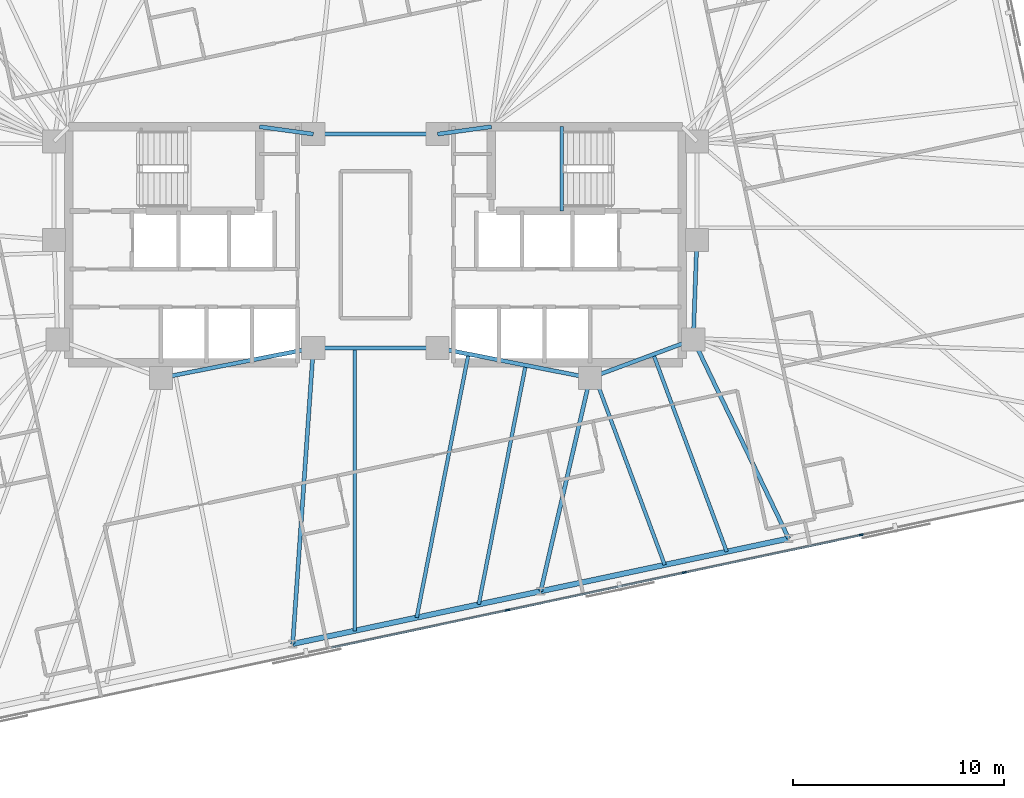
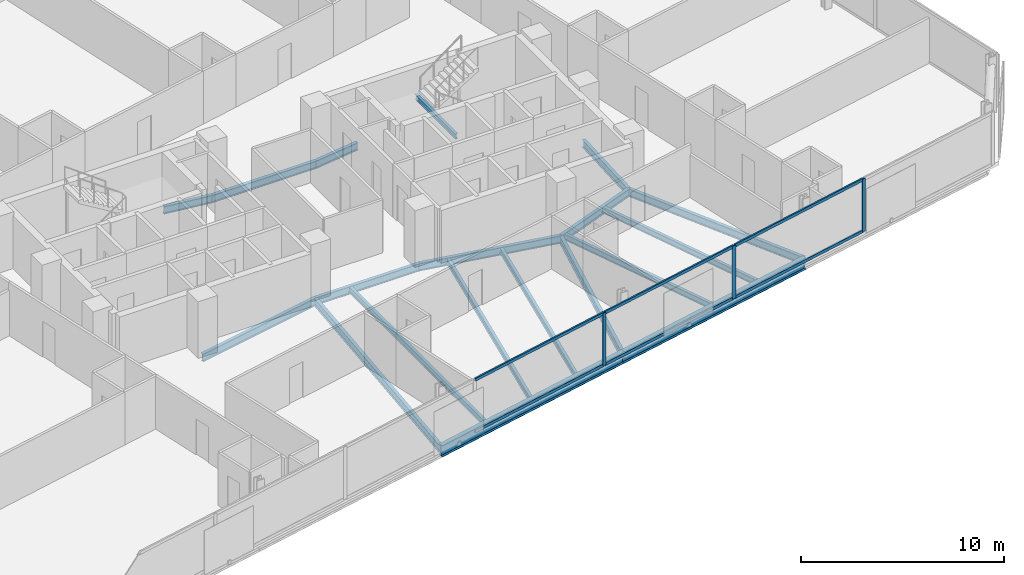
# One storey, part 7 of 19: 19 beams, 9 members, 1 element without a shape of its own.
"""IFC4 building model written with IfcOpenShell, lengths in metres."""

from ifc_helpers import new_model, si_unit, direction, frame, origin, origin_2d, place, context, subcontext, project, spatial, rectangle, i_section, extrude, material, material_profile, profile_set, type_object, element, aggregate, save


model = new_model("IFC4")

# Units and contexts
model_context = context("Model", 3, precision=1e-05, world=origin(), true_north=direction((0.0, 1.0)))
body_context = subcontext(model_context, "Body", "Model", "MODEL_VIEW")
ifc_project = project(units=[si_unit("LENGTHUNIT", "METRE"), si_unit("AREAUNIT", "SQUARE_METRE"), si_unit("VOLUMEUNIT", "CUBIC_METRE"), si_unit("PLANEANGLEUNIT", "RADIAN"), si_unit("MASSUNIT", "GRAM", prefix="KILO")], contexts=[model_context])

# Site, building, storey
site_placement = place(None, origin())
site = spatial("IfcSite", under=ifc_project, at=site_placement, CompositionType="ELEMENT")
building_placement = place(site_placement, origin())
building = spatial("IfcBuilding", under=site, at=building_placement, Name="Menara Jurai Vektor", CompositionType="ELEMENT")
storey_placement = place(building_placement, frame((0.0, 0.0, 195.60009765625)))
storey = spatial("IfcBuildingStorey", under=building, at=storey_placement, Name="L51", CompositionType="ELEMENT", Elevation=195.60009765625)

# Curtain wall, members
ifc_material_1 = material(Name="Anodised Pale Aluminium & Low-E Double Glazing", Category="aluminium")
curtain_wall_type = type_object("IfcCurtainWallType", Name="CW-BLK3", PredefinedType="NOTDEFINED", material=ifc_material_1)
curtain_wall_placement = place(storey_placement, origin())
curtain_wall = element("IfcCurtainWall", 1, at=curtain_wall_placement, inside=storey, type_object=curtain_wall_type, Name="Unitised Curtain Wall L51 F01", PredefinedType="NOTDEFINED")
ifc_material_2 = material(Name="Anodised Pale Aluminium Mullion", Category="aluminium")
ifc_material_profile_1 = material_profile(ifc_material_2, rectangle(XDim=0.0849609375, YDim=0.205078125, at=origin_2d()), Name="ALU MUL 85x205")
ifc_profile_set_1 = profile_set([ifc_material_profile_1], Name="Anodised Pale Aluminium Mullion")
member_type_1 = type_object("IfcMemberType", Name="CW-BLK3-MUL", PredefinedType="MULLION", material=ifc_profile_set_1)
member_1_placement = place(storey_placement, frame((6.264892578125, -17.338623046875, 0.0), z_axis=(0.0, 0.0, 1.0), x_axis=(-0.207911344156, 0.978147674419, 0.0)))
member_1 = element("IfcMember", 2, at=member_1_placement, type_object=member_type_1, Name="CW-03 mullion 5", PredefinedType="MULLION", context=body_context, shape_type="SweptSolid", body=[
    extrude(rectangle(XDim=0.0849609375, YDim=0.205078125, at=origin_2d()), origin(), (0.0, 0.0, 1.0), 3.1748046875),
])
member_2_placement = place(storey_placement, frame((14.65478515625, -15.55517578125, 0.0), z_axis=(0.0, 0.0, 1.0), x_axis=(-0.207911344156, 0.978147674419, 0.0)))
member_2 = element("IfcMember", 3, at=member_2_placement, type_object=member_type_1, Name="CW-03 mullion 6", PredefinedType="MULLION", context=body_context, shape_type="SweptSolid", body=[
    extrude(rectangle(XDim=0.0849609375, YDim=0.205078125, at=origin_2d()), origin(), (0.0, 0.0, 1.0), 3.1748046875),
])
member_3_placement = place(storey_placement, frame((23.04443359375, -13.77197265625, 0.0), z_axis=(0.0, 0.0, 1.0), x_axis=(-0.207911344156, 0.978147674419, 0.0)))
member_3 = element("IfcMember", 4, at=member_3_placement, type_object=member_type_1, Name="CW-03 mullion 7", PredefinedType="MULLION", context=body_context, shape_type="SweptSolid", body=[
    extrude(rectangle(XDim=0.0849609375, YDim=0.205078125, at=origin_2d()), origin(), (0.0, 0.0, 1.0), 3.1748046875),
])
ifc_material_3 = material(Name="Anodised Pale Aluminium Transom", Category="aluminium")
ifc_material_profile_2 = material_profile(ifc_material_3, rectangle(XDim=0.0849609375, YDim=0.175048828125, at=origin_2d()), Name="ALU TRN 85x175")
ifc_profile_set_2 = profile_set([ifc_material_profile_2], Name="Anodised Pale Aluminium Transom")
member_type_2 = type_object("IfcMemberType", Name="CW-BLK3-TRN", PredefinedType="USERDEFINED", material=ifc_profile_set_2)
member_4_placement = place(storey_placement, frame((-2.083251953125, -19.113037109375, 0.04248046875), z_axis=(0.978147743708, 0.207911018178, 0.0), x_axis=(-0.207911018178, 0.978147743708, 0.0)))
member_4 = element("IfcMember", 5, at=member_4_placement, type_object=member_type_2, Name="CW-03 transom 4.1", ObjectType="TRANSOM", PredefinedType="USERDEFINED", context=body_context, shape_type="SweptSolid", body=[
    extrude(rectangle(XDim=0.0849609375, YDim=0.175048828125, at=origin_2d()), origin(), (0.0, 0.0, 1.0), 8.4921875),
])
member_5_placement = place(storey_placement, frame((-2.083251953125, -19.113037109375, 3.13232421875), z_axis=(0.978147743708, 0.207911018178, 0.0), x_axis=(-0.207911018178, 0.978147743708, 0.0)))
member_5 = element("IfcMember", 6, at=member_5_placement, type_object=member_type_2, Name="CW-03 transom 4.2", ObjectType="TRANSOM", PredefinedType="USERDEFINED", context=body_context, shape_type="SweptSolid", body=[
    extrude(rectangle(XDim=0.0849609375, YDim=0.175048828125, at=origin_2d()), origin(), (0.0, 0.0, 1.0), 8.4921875),
])
member_6_placement = place(storey_placement, frame((6.306640625, -17.329833984375, 0.04248046875), z_axis=(0.978146500933, 0.207916864907, 0.0), x_axis=(-0.207916864907, 0.978146500933, 0.0)))
member_6 = element("IfcMember", 7, at=member_6_placement, type_object=member_type_2, Name="CW-03 transom 5.1", ObjectType="TRANSOM", PredefinedType="USERDEFINED", context=body_context, shape_type="SweptSolid", body=[
    extrude(rectangle(XDim=0.0849609375, YDim=0.175048828125, at=origin_2d()), origin(), (0.0, 0.0, 1.0), 8.491943359375),
])
member_7_placement = place(storey_placement, frame((6.306640625, -17.329833984375, 3.13232421875), z_axis=(0.978146500933, 0.207916864907, 0.0), x_axis=(-0.207916864907, 0.978146500933, 0.0)))
member_7 = element("IfcMember", 8, at=member_7_placement, type_object=member_type_2, Name="CW-03 transom 5.2", ObjectType="TRANSOM", PredefinedType="USERDEFINED", context=body_context, shape_type="SweptSolid", body=[
    extrude(rectangle(XDim=0.0849609375, YDim=0.175048828125, at=origin_2d()), origin(), (0.0, 0.0, 1.0), 8.491943359375),
])
member_8_placement = place(storey_placement, frame((14.6962890625, -15.54638671875, 0.04248046875), z_axis=(0.978147743708, 0.207911018178, 0.0), x_axis=(-0.207911018178, 0.978147743708, 0.0)))
member_8 = element("IfcMember", 9, at=member_8_placement, type_object=member_type_2, Name="CW-03 transom 6.1", ObjectType="TRANSOM", PredefinedType="USERDEFINED", context=body_context, shape_type="SweptSolid", body=[
    extrude(rectangle(XDim=0.0849609375, YDim=0.175048828125, at=origin_2d()), origin(), (0.0, 0.0, 1.0), 8.4921875),
])
member_9_placement = place(storey_placement, frame((14.6962890625, -15.54638671875, 3.13232421875), z_axis=(0.978147743708, 0.207911018178, 0.0), x_axis=(-0.207911018178, 0.978147743708, 0.0)))
member_9 = element("IfcMember", 10, at=member_9_placement, type_object=member_type_2, Name="CW-03 transom 6.2", ObjectType="TRANSOM", PredefinedType="USERDEFINED", context=body_context, shape_type="SweptSolid", body=[
    extrude(rectangle(XDim=0.0849609375, YDim=0.175048828125, at=origin_2d()), origin(), (0.0, 0.0, 1.0), 8.4921875),
])
aggregate(curtain_wall, [member_1, member_2, member_3, member_4, member_5, member_6, member_7, member_8, member_9])

# Beams
ifc_material_4 = material(Name="Steel S355", Category="steel")
ifc_material_profile_3 = material_profile(ifc_material_4, i_section(OverallWidth=0.19091796875, OverallDepth=0.4599609375, WebThickness=0.010009765625, FlangeThickness=0.01611328125, FilletRadius=0.010009765625, at=origin_2d()), Name="UKB 457x191x82")
ifc_profile_set_3 = profile_set([ifc_material_profile_3], Name="Steel S355")
beam_type_1 = type_object("IfcBeamType", Name="STR-BM-457", PredefinedType="BEAM", material=ifc_profile_set_3)
beam_1_placement = place(storey_placement, frame((-5.5, 5.60009765625, -0.455078125), z_axis=(0.990706818608, -0.136014703483, 0.0), x_axis=(0.136014703483, 0.990706818608, 0.0)))
element("IfcBeam", 11, at=beam_1_placement, inside=storey, type_object=beam_type_1, Name="Core Ring Header Girder L51-CHW-N2", PredefinedType="BEAM", context=body_context, shape_type="SweptSolid", body=[
    extrude(i_section(OverallWidth=0.19091796875, OverallDepth=0.4599609375, WebThickness=0.010009765625, FlangeThickness=0.01611328125, FilletRadius=0.010009765625, at=origin_2d()), origin(), (0.0, 0.0, 1.0), 2.573974609375),
])
beam_2_placement = place(storey_placement, frame((-10.179931640625, -6.320068359375, -0.455078125), z_axis=(0.981249044334, 0.192744164614, 0.0), x_axis=(-0.192744164614, 0.981249044334, 0.0)))
element("IfcBeam", 12, at=beam_2_placement, inside=storey, type_object=beam_type_1, Name="Core Ring Header Girder L51-CHW-S2", PredefinedType="BEAM", context=body_context, shape_type="SweptSolid", body=[
    extrude(i_section(OverallWidth=0.19091796875, OverallDepth=0.4599609375, WebThickness=0.010009765625, FlangeThickness=0.01611328125, FilletRadius=0.010009765625, at=origin_2d()), origin(), (0.0, 0.0, 1.0), 7.3681640625),
])
beam_3_placement = place(storey_placement, frame((2.949951171875, 5.25, -0.455078125), z_axis=(0.990706818608, 0.136014703483, 0.0), x_axis=(-0.136014703483, 0.990706818608, 0.0)))
element("IfcBeam", 13, at=beam_3_placement, inside=storey, type_object=beam_type_1, Name="Core Ring Header Girder L51-CHE-N1", PredefinedType="BEAM", context=body_context, shape_type="SweptSolid", body=[
    extrude(i_section(OverallWidth=0.19091796875, OverallDepth=0.4599609375, WebThickness=0.010009765625, FlangeThickness=0.01611328125, FilletRadius=0.010009765625, at=origin_2d()), origin(), (0.0, 0.0, 1.0), 2.573974609375),
])
beam_4_placement = place(storey_placement, frame((15.080078125, -4.5, -0.455078125), z_axis=(0.035977314146, 0.999352606874, 0.0), x_axis=(-0.999352606874, 0.035977314146, 0.0)))
element("IfcBeam", 14, at=beam_4_placement, inside=storey, type_object=beam_type_1, Name="Core Ring Header Girder L51-CHE-E2", PredefinedType="BEAM", context=body_context, shape_type="SweptSolid", body=[
    extrude(i_section(OverallWidth=0.19091796875, OverallDepth=0.4599609375, WebThickness=0.010009765625, FlangeThickness=0.01611328125, FilletRadius=0.010009765625, at=origin_2d()), origin(), (0.0, 0.0, 1.0), 4.72314453125),
])
beam_5_placement = place(storey_placement, frame((10.179931640625, -6.320068359375, -0.455078125), z_axis=(0.937424400887, 0.348188874925, 0.0), x_axis=(-0.348188874925, 0.937424400887, 0.0)))
element("IfcBeam", 15, at=beam_5_placement, inside=storey, type_object=beam_type_1, Name="Core Ring Header Girder L51-CHE-S1", PredefinedType="BEAM", context=body_context, shape_type="SweptSolid", body=[
    extrude(i_section(OverallWidth=0.19091796875, OverallDepth=0.4599609375, WebThickness=0.010009765625, FlangeThickness=0.01611328125, FilletRadius=0.010009765625, at=origin_2d()), origin(), (0.0, 0.0, 1.0), 5.227294921875),
])
beam_6_placement = place(storey_placement, frame((2.949951171875, -4.89990234375, -0.455078125), z_axis=(0.981249044334, -0.192744164614, 0.0), x_axis=(0.192744164614, 0.981249044334, 0.0)))
element("IfcBeam", 16, at=beam_6_placement, inside=storey, type_object=beam_type_1, Name="Core Ring Header Girder L51-CHE-S2", PredefinedType="BEAM", context=body_context, shape_type="SweptSolid", body=[
    extrude(i_section(OverallWidth=0.19091796875, OverallDepth=0.4599609375, WebThickness=0.010009765625, FlangeThickness=0.01611328125, FilletRadius=0.010009765625, at=origin_2d()), origin(), (0.0, 0.0, 1.0), 7.3681640625),
])
for number, where, z_axis, x_axis, name in (
    (17, (-2.949951171875, -4.89990234375, -0.455078125), (1.0, 0.0, 0.0), (0.0, 1.0, 0.0), "Core Ring Header Girder L51-CC-1"),
    (18, (-2.949951171875, 5.25, -0.455078125), (1.0, 0.0, 0.0), (0.0, 1.0, 0.0), "Core Ring Header Girder L51-CC-2"),
):
    element("IfcBeam", number, at=place(storey_placement, frame(where, z_axis=z_axis, x_axis=x_axis)), inside=storey, type_object=beam_type_1, Name=name, PredefinedType="BEAM", context=body_context, shape_type="SweptSolid", body=[
        extrude(i_section(OverallWidth=0.19091796875, OverallDepth=0.4599609375, WebThickness=0.010009765625, FlangeThickness=0.01611328125, FilletRadius=0.010009765625, at=origin_2d()), origin(), (0.0, 0.0, 1.0), 5.89990234375),
    ])
beam_7_placement = place(storey_placement, frame((-3.928466796875, -18.94287109375, -0.455078125), z_axis=(0.06951156523, 0.997581145722, 0.0), x_axis=(-0.997581145722, 0.06951156523, 0.0)))
element("IfcBeam", 19, at=beam_7_placement, inside=storey, type_object=beam_type_1, Name="Radial Floor Girder L51-S3", PredefinedType="BEAM", context=body_context, shape_type="SweptSolid", body=[
    extrude(i_section(OverallWidth=0.19091796875, OverallDepth=0.4599609375, WebThickness=0.010009765625, FlangeThickness=0.01611328125, FilletRadius=0.010009765625, at=origin_2d()), origin(), (0.0, 0.0, 1.0), 14.076904296875),
])
beam_8_placement = place(storey_placement, frame((7.83984375, -16.44140625, -0.455078125), z_axis=(0.225261124248, 0.974298427538, 0.0), x_axis=(-0.974298427538, 0.225261124248, 0.0)))
element("IfcBeam", 20, at=beam_8_placement, inside=storey, type_object=beam_type_1, Name="Radial Floor Girder L51-S4", PredefinedType="BEAM", context=body_context, shape_type="SweptSolid", body=[
    extrude(i_section(OverallWidth=0.19091796875, OverallDepth=0.4599609375, WebThickness=0.010009765625, FlangeThickness=0.01611328125, FilletRadius=0.010009765625, at=origin_2d()), origin(), (0.0, 0.0, 1.0), 10.388427734375),
])
beam_9_placement = place(storey_placement, frame((19.608154296875, -13.940185546875, -0.455078125), z_axis=(-0.432481646932, 0.901642736935, 0.0), x_axis=(-0.901642736935, -0.432481646932, 0.0)))
element("IfcBeam", 21, at=beam_9_placement, inside=storey, type_object=beam_type_1, Name="Radial Floor Girder L51-S5", PredefinedType="BEAM", context=body_context, shape_type="SweptSolid", body=[
    extrude(i_section(OverallWidth=0.19091796875, OverallDepth=0.4599609375, WebThickness=0.010009765625, FlangeThickness=0.01611328125, FilletRadius=0.010009765625, at=origin_2d()), origin(), (0.0, 0.0, 1.0), 10.469970703125),
])
ifc_material_profile_4 = material_profile(ifc_material_4, i_section(OverallWidth=0.172119140625, OverallDepth=0.35498046875, WebThickness=0.007080078125, FlangeThickness=0.011962890625, FilletRadius=0.010009765625, at=origin_2d()), Name="UKB 356x171x51")
ifc_profile_set_4 = profile_set([ifc_material_profile_4], Name="Steel S355")
beam_type_2 = type_object("IfcBeamType", Name="STR-JS-356", PredefinedType="JOIST", material=ifc_profile_set_4)
beam_10_placement = place(storey_placement, frame((-0.986328125, -18.3173828125, -0.402587890625), z_axis=(0.0, 1.0, 0.0), x_axis=(-1.0, 0.0, 0.0)))
element("IfcBeam", 22, at=beam_10_placement, inside=storey, type_object=beam_type_2, Name="Radial Secondary Floor Joist L51-JS05", PredefinedType="JOIST", context=body_context, shape_type="SweptSolid", body=[
    extrude(i_section(OverallWidth=0.172119140625, OverallDepth=0.35498046875, WebThickness=0.007080078125, FlangeThickness=0.011962890625, FilletRadius=0.010009765625, at=origin_2d()), origin(), (0.0, 0.0, 1.0), 13.41748046875),
])
beam_11_placement = place(storey_placement, frame((1.955810546875, -17.692138671875, -0.402587890625), z_axis=(0.192721917664, 0.981253413982, 0.0), x_axis=(-0.981253413982, 0.192721917664, 0.0)))
element("IfcBeam", 23, at=beam_11_placement, inside=storey, type_object=beam_type_2, Name="Radial Secondary Floor Joist L51-JS06", PredefinedType="JOIST", context=body_context, shape_type="SweptSolid", body=[
    extrude(i_section(OverallWidth=0.172119140625, OverallDepth=0.35498046875, WebThickness=0.007080078125, FlangeThickness=0.011962890625, FilletRadius=0.010009765625, at=origin_2d()), origin(), (0.0, 0.0, 1.0), 12.744140625),
])
beam_12_placement = place(storey_placement, frame((4.897705078125, -17.06689453125, -0.402587890625), z_axis=(0.19272061905, 0.981253669034, 0.0), x_axis=(-0.981253669034, 0.19272061905, 0.0)))
element("IfcBeam", 24, at=beam_12_placement, inside=storey, type_object=beam_type_2, Name="Radial Secondary Floor Joist L51-JS07", PredefinedType="JOIST", context=body_context, shape_type="SweptSolid", body=[
    extrude(i_section(OverallWidth=0.172119140625, OverallDepth=0.35498046875, WebThickness=0.007080078125, FlangeThickness=0.011962890625, FilletRadius=0.010009765625, at=origin_2d()), origin(), (0.0, 0.0, 1.0), 11.5634765625),
])
beam_13_placement = place(storey_placement, frame((13.72412109375, -15.19091796875, -0.402587890625), z_axis=(-0.348196799641, 0.93742145736, 0.0), x_axis=(-0.93742145736, -0.348196799641, 0.0)))
element("IfcBeam", 25, at=beam_13_placement, inside=storey, type_object=beam_type_2, Name="Radial Secondary Floor Joist L51-JS08", PredefinedType="JOIST", context=body_context, shape_type="SweptSolid", body=[
    extrude(i_section(OverallWidth=0.172119140625, OverallDepth=0.35498046875, WebThickness=0.007080078125, FlangeThickness=0.011962890625, FilletRadius=0.010009765625, at=origin_2d()), origin(), (0.0, 0.0, 1.0), 9.5498046875),
])
beam_14_placement = place(storey_placement, frame((16.666015625, -14.5654296875, -0.402587890625), z_axis=(-0.348180392292, 0.93742755156, 0.0), x_axis=(-0.93742755156, -0.348180392292, 0.0)))
element("IfcBeam", 26, at=beam_14_placement, inside=storey, type_object=beam_type_2, Name="Radial Secondary Floor Joist L51-JS09", PredefinedType="JOIST", context=body_context, shape_type="SweptSolid", body=[
    extrude(i_section(OverallWidth=0.172119140625, OverallDepth=0.35498046875, WebThickness=0.007080078125, FlangeThickness=0.011962890625, FilletRadius=0.010009765625, at=origin_2d()), origin(), (0.0, 0.0, 1.0), 9.98779296875),
])
ifc_material_profile_5 = material_profile(ifc_material_4, i_section(OverallWidth=0.1650390625, OverallDepth=0.302978515625, WebThickness=0.006103515625, FlangeThickness=0.010009765625, FilletRadius=0.009033203125, at=origin_2d()), Name="UKB 305x165x40")
ifc_profile_set_5 = profile_set([ifc_material_profile_5], Name="Steel S355")
beam_type_3 = type_object("IfcBeamType", Name="STR-LN-305", PredefinedType="LINTEL", material=ifc_profile_set_5)
beam_15_placement = place(storey_placement, frame((8.830078125, 1.60009765625, 1.348388671875), z_axis=(0.0, 1.0, 0.0), x_axis=(-1.0, 0.0, 0.0)))
element("IfcBeam", 27, at=beam_15_placement, inside=storey, type_object=beam_type_3, Name="Stair Half-Landing Nosing Trimmer ST2-1 L51", PredefinedType="LINTEL", context=body_context, shape_type="SweptSolid", body=[
    extrude(i_section(OverallWidth=0.1650390625, OverallDepth=0.302978515625, WebThickness=0.006103515625, FlangeThickness=0.010009765625, FilletRadius=0.009033203125, at=origin_2d()), origin(), (0.0, 0.0, 1.0), 4.0),
])
ifc_material_5 = material(Name="Steel S460", Category="steel")
ifc_material_profile_6 = material_profile(ifc_material_5, i_section(OverallWidth=0.256103515625, OverallDepth=0.693115234375, WebThickness=0.013916015625, FlangeThickness=0.02392578125, FilletRadius=0.014892578125, at=origin_2d()), Name="UKB 686x254x170")
ifc_profile_set_6 = profile_set([ifc_material_profile_6], Name="Steel S460")
beam_type_4 = type_object("IfcBeamType", Name="STR-SP-686", PredefinedType="SPANDREL", material=ifc_profile_set_6)
for number, where, z_axis, x_axis, name in (
    (28, (-3.928466796875, -18.94287109375, -0.571533203125), (0.978147039247, 0.207914332389, 0.0), (-0.207914332389, 0.978147039247, 0.0), "Exoskeleton Spandrel Beam L51-03"),
    (29, (7.83984375, -16.44140625, -0.571533203125), (0.978151165921, 0.207894917222, 0.0), (-0.207894917222, 0.978151165921, 0.0), "Exoskeleton Spandrel Beam L51-04"),
):
    element("IfcBeam", number, at=place(storey_placement, frame(where, z_axis=z_axis, x_axis=x_axis)), inside=storey, type_object=beam_type_4, Name=name, PredefinedType="SPANDREL", context=body_context, shape_type="SweptSolid", body=[
        extrude(i_section(OverallWidth=0.256103515625, OverallDepth=0.693115234375, WebThickness=0.013916015625, FlangeThickness=0.02392578125, FilletRadius=0.014892578125, at=origin_2d()), origin(), (0.0, 0.0, 1.0), 12.03125),
    ])

save(model, "model.ifc")
